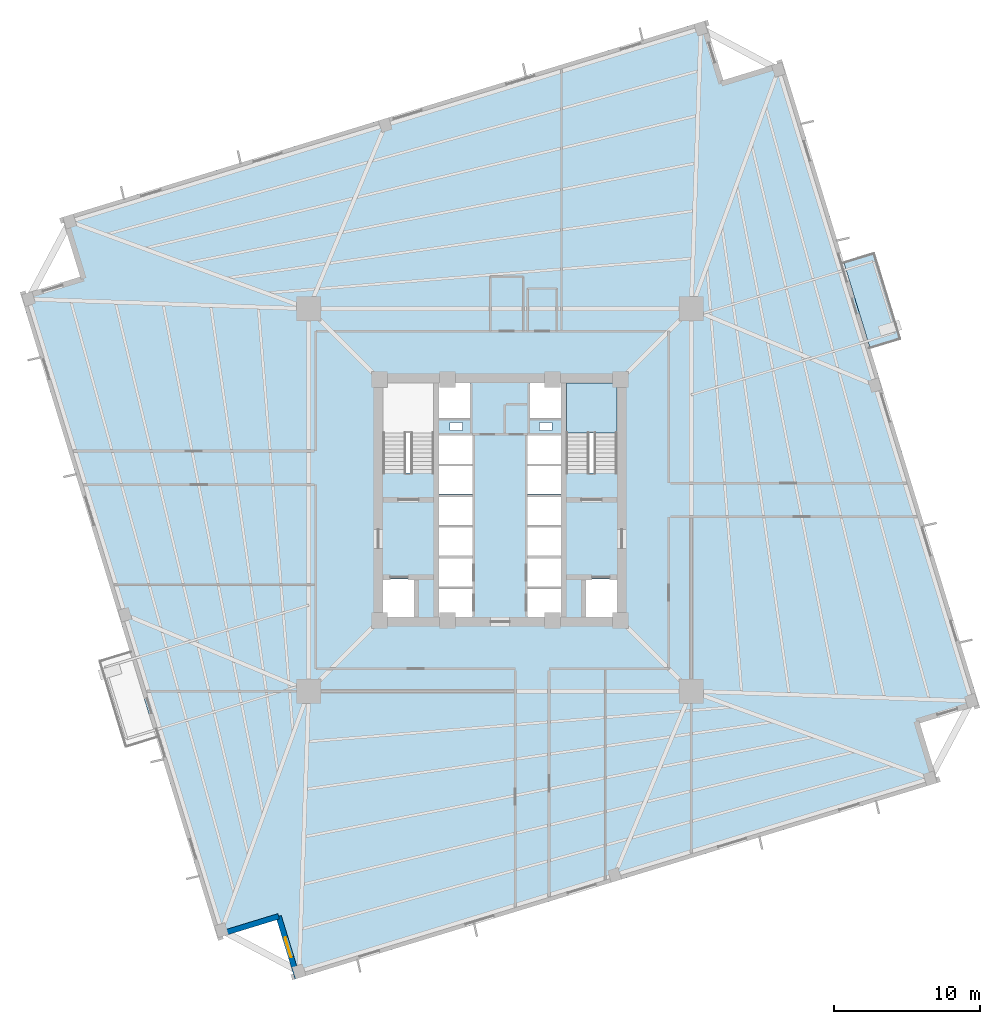
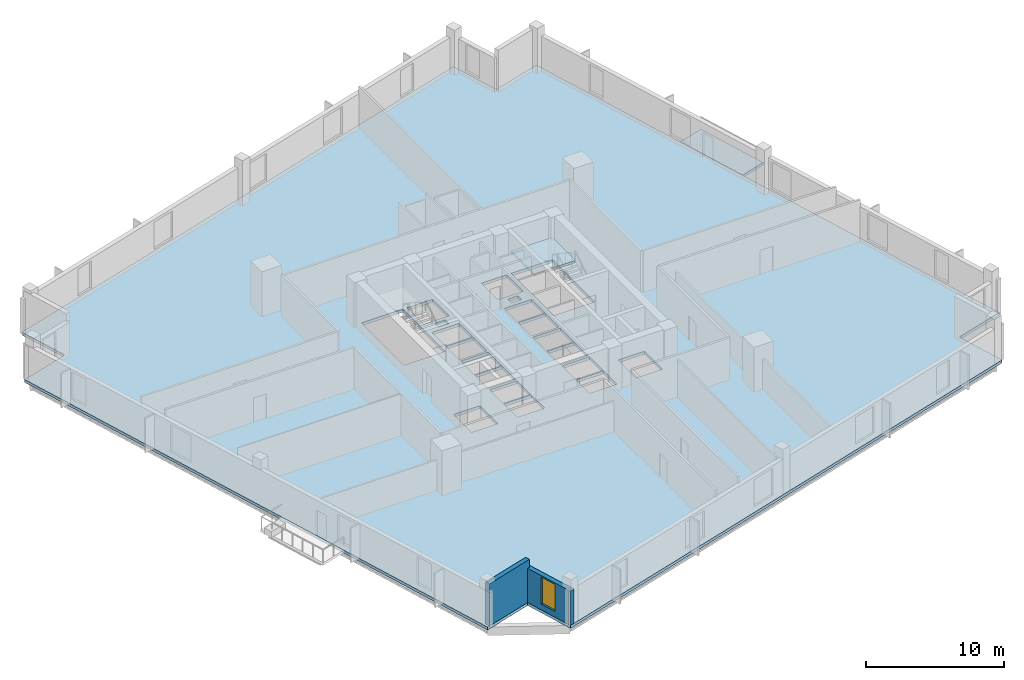
# One storey, part 2 of 9: 3 slabs, 2 walls, 1 window, 1 opening, 1 element without a shape of its own.
"""IFC4 building model written with IfcOpenShell, lengths in metres."""

from ifc_helpers import new_model, si_unit, direction, frame, frame_2d, origin, place, context, subcontext, project, spatial, polyline, rectangle, outline, extrude, source, transform, mapped, material, layer, layer_set, type_object, element, fill, aggregate, save


model = new_model("IFC4")

# Units and contexts
model_context = context("Model", 3, precision=1e-05, world=origin(), true_north=direction((0.0, 1.0)))
body_context = subcontext(model_context, "Body", "Model", "MODEL_VIEW")
ifc_project = project(units=[si_unit("LENGTHUNIT", "METRE"), si_unit("AREAUNIT", "SQUARE_METRE"), si_unit("VOLUMEUNIT", "CUBIC_METRE"), si_unit("PLANEANGLEUNIT", "RADIAN"), si_unit("MASSUNIT", "GRAM", prefix="KILO"), si_unit("THERMODYNAMICTEMPERATUREUNIT", "KELVIN")], contexts=[model_context])

# Site, building, storey
site_placement = place(None, origin())
site = spatial("IfcSite", under=ifc_project, at=site_placement, CompositionType="ELEMENT")
building_placement = place(site_placement, origin())
building = spatial("IfcBuilding", under=site, at=building_placement, Name="Kosmvard Interchange Tower", CompositionType="ELEMENT")
storey_placement = place(building_placement, frame((0.0, 0.0, 131.199951171875)))
storey = spatial("IfcBuildingStorey", under=building, at=storey_placement, Name="L31", CompositionType="ELEMENT", Elevation=131.199951171875)

# Slab
ifc_material_1 = material(Name="Concrete C50/60", Category="concrete")
ifc_layer_1 = layer(ifc_material_1, 0.260009765625, Name="Concrete C50/60")
ifc_layer_set_1 = layer_set([ifc_layer_1], Name="Concrete C50/60")
slab_type_1 = type_object("IfcSlabType", Name="Mid-Rise Office Composite Slab 260 C50/60", PredefinedType="FLOOR", material=ifc_layer_set_1)
slab_1_placement = place(storey_placement, frame((0.0, 0.0, -0.260009765625)))
element("IfcSlab", 1, at=slab_1_placement, inside=storey, type_object=slab_type_1, Name="L31 Structural Floor Slab", PredefinedType="FLOOR", context=body_context, shape_type="SweptSolid", body=[
    extrude(outline(polyline([(-14.02783203125, -32.783935546875), (29.962158203125, -19.334716796875), (28.719482421875, -15.2705078125), (32.783935546875, -14.02783203125), (19.334716796875, 29.962158203125), (15.2705078125, 28.719482421875), (14.02783203125, 32.783935546875), (-29.962158203125, 19.334716796875), (-28.719482421875, 15.2705078125), (-32.783935546875, 14.02783203125), (-19.334716796875, -29.962158203125), (-15.2705078125, -28.719482421875), (-14.02783203125, -32.783935546875)]), holes=[polyline([(-8.0, 1.8349609375), (-4.5400390625, 1.8349609375), (-4.5400390625, 8.0), (-8.0, 8.0), (-8.0, 1.8349609375)]), polyline([(4.5400390625, 1.8349609375), (8.0, 1.8349609375), (8.0, 8.0), (4.5400390625, 8.0), (4.5400390625, 1.8349609375)]), polyline([(-8.0, -8.0), (-5.800048828125, -8.0), (-5.800048828125, -5.39990234375), (-8.0, -5.39990234375), (-8.0, -8.0)]), polyline([(5.800048828125, -8.0), (8.0, -8.0), (8.0, -5.39990234375), (5.800048828125, -5.39990234375), (5.800048828125, -8.0)]), polyline([(-4.179931640625, -8.0), (-1.8798828125, -8.0), (-1.8798828125, -6.06005859375), (-4.179931640625, -6.06005859375), (-4.179931640625, -8.0)]), polyline([(-4.179931640625, -5.93994140625), (-1.8798828125, -5.93994140625), (-1.8798828125, -4.0), (-4.179931640625, -4.0), (-4.179931640625, -5.93994140625)]), polyline([(1.8798828125, -8.0), (4.179931640625, -8.0), (4.179931640625, -6.06005859375), (1.8798828125, -6.06005859375), (1.8798828125, -8.0)]), polyline([(1.8798828125, -5.93994140625), (4.179931640625, -5.93994140625), (4.179931640625, -4.0), (1.8798828125, -4.0), (1.8798828125, -5.93994140625)]), polyline([(-4.179931640625, -3.800048828125), (-1.8798828125, -3.800048828125), (-1.8798828125, -1.860107421875), (-4.179931640625, -1.860107421875), (-4.179931640625, -3.800048828125)]), polyline([(-4.179931640625, -1.739990234375), (-1.8798828125, -1.739990234375), (-1.8798828125, 0.199951171875), (-4.179931640625, 0.199951171875), (-4.179931640625, -1.739990234375)]), polyline([(1.8798828125, -3.800048828125), (4.179931640625, -3.800048828125), (4.179931640625, -1.860107421875), (1.8798828125, -1.860107421875), (1.8798828125, -3.800048828125)]), polyline([(1.8798828125, -1.739990234375), (4.179931640625, -1.739990234375), (4.179931640625, 0.199951171875), (1.8798828125, 0.199951171875), (1.8798828125, -1.739990234375)]), polyline([(-4.179931640625, 0.39990234375), (-1.8798828125, 0.39990234375), (-1.8798828125, 2.340087890625), (-4.179931640625, 2.340087890625), (-4.179931640625, 0.39990234375)]), polyline([(-4.179931640625, 2.4599609375), (-1.8798828125, 2.4599609375), (-1.8798828125, 4.39990234375), (-4.179931640625, 4.39990234375), (-4.179931640625, 2.4599609375)]), polyline([(1.8798828125, 0.39990234375), (4.179931640625, 0.39990234375), (4.179931640625, 2.340087890625), (1.8798828125, 2.340087890625), (1.8798828125, 0.39990234375)]), polyline([(1.8798828125, 2.4599609375), (4.179931640625, 2.4599609375), (4.179931640625, 4.39990234375), (1.8798828125, 4.39990234375), (1.8798828125, 2.4599609375)]), polyline([(-4.179931640625, 5.60009765625), (-2.0400390625, 5.60009765625), (-2.0400390625, 8.0), (-4.179931640625, 8.0), (-4.179931640625, 5.60009765625)]), polyline([(2.0400390625, 5.60009765625), (4.179931640625, 5.60009765625), (4.179931640625, 8.0), (2.0400390625, 8.0), (2.0400390625, 5.60009765625)]), polyline([(-3.4150390625, 4.739990234375), (-2.56494140625, 4.739990234375), (-2.56494140625, 5.2900390625), (-3.4150390625, 5.2900390625), (-3.4150390625, 4.739990234375)]), polyline([(2.715087890625, 4.739990234375), (3.56494140625, 4.739990234375), (3.56494140625, 5.2900390625), (2.715087890625, 5.2900390625), (2.715087890625, 4.739990234375)])]), origin(), (0.0, 0.0, 1.0), 0.260009765625),
])

# Stair, slab
stair_type = type_object("IfcStairType", Name="Dog-Leg Core Exit Stair H4000 C50/60", PredefinedType="HALF_TURN_STAIR", material=ifc_material_1)
stair_placement = place(storey_placement, origin())
stair = element("IfcStair", 2, at=stair_placement, inside=storey, type_object=stair_type, Name="L31 Protected Exit Stair ST-2", PredefinedType="HALF_TURN_STAIR")
ifc_layer_2 = layer(ifc_material_1, 0.199951171875, Name="Concrete C50/60")
ifc_layer_set_2 = layer_set([ifc_layer_2], Name="Concrete C50/60")
slab_type_2 = type_object("IfcSlabType", Name="Stair Half-Landing Slab 200 C50/60", PredefinedType="LANDING", material=ifc_layer_set_2)
slab_2_placement = place(storey_placement, frame((0.0, 0.0, 1.800048828125)))
slab_2 = element("IfcSlab", 3, at=slab_2_placement, type_object=slab_type_2, Name="ST-2 landing 1", PredefinedType="LANDING", context=body_context, shape_type="SweptSolid", body=[
    extrude(outline(polyline([(8.0, 4.60009765625), (8.0, 8.0), (4.5400390625, 8.0), (4.5400390625, 4.60009765625), (8.0, 4.60009765625)])), origin(), (0.0, 0.0, 1.0), 0.199951171875),
])
aggregate(stair, [slab_2])

# Slab
ifc_layer_3 = layer(ifc_material_1, 0.22998046875, Name="Concrete C50/60")
ifc_layer_set_3 = layer_set([ifc_layer_3], Name="Concrete C50/60")
slab_type_3 = type_object("IfcSlabType", Name="Tree-Planter Cantilever Balcony Slab 230 C50/60", PredefinedType="FLOOR", material=ifc_layer_set_3)
slab_3_placement = place(storey_placement, frame((0.0, 0.0, -0.22998046875)))
element("IfcSlab", 4, at=slab_3_placement, inside=storey, type_object=slab_type_3, Name="L31 Outdoor Terrace Balcony Slab BAL-L31-E", PredefinedType="FLOOR", context=body_context, shape_type="SweptSolid", body=[
    extrude(outline(polyline([(25.328369140625, 10.35791015625), (27.43212890625, 11.001220703125), (25.61962890625, 16.93017578125), (23.515625, 16.286865234375), (25.328369140625, 10.35791015625)])), origin(), (0.0, 0.0, 1.0), 0.22998046875),
])

# Wall
ifc_material_2 = material(Name="Precast concrete C45/55", Category="concrete")
ifc_layer_4 = layer(ifc_material_2, 0.3798828125, Name="Precast concrete C45/55")
ifc_layer_set_4 = layer_set([ifc_layer_4], Name="Precast concrete C45/55")
wall_type = type_object("IfcWallType", Name="Lower Tower Precast Pier Wall 380 C45/55", PredefinedType="STANDARD", material=ifc_layer_set_4)
wall_1_placement = place(storey_placement, frame((-19.20849609375, -29.724853515625, 0.0), z_axis=(0.0, 0.0, 1.0), x_axis=(0.956312764915, 0.292345507338, 0.0)))
element("IfcWall", 5, at=wall_1_placement, inside=storey, type_object=wall_type, Name="L31 Precast Facade Wall N-SW1", PredefinedType="STANDARD", context=body_context, shape_type="SweptSolid", body=[
    extrude(rectangle(XDim=4.249755859375, YDim=0.3798828125, at=frame_2d((2.125, 0.0))), origin(), (0.0, 0.0, 1.0), 3.739990234375),
])

# Wall, opening, window
wall_2_placement = place(storey_placement, frame((-15.144287109375, -28.482421875, 0.0), z_axis=(0.0, 0.0, 1.0), x_axis=(0.292373601522, -0.956304176051, 0.0)))
wall_2 = element("IfcWall", 6, at=wall_2_placement, inside=storey, type_object=wall_type, Name="L31 Precast Facade Wall N-SW2", PredefinedType="STANDARD", context=body_context, shape_type="SweptSolid", body=[
    extrude(rectangle(XDim=4.43994140625, YDim=0.3798828125, at=frame_2d((2.219970703125, 0.0))), origin(), (0.0, 0.0, 1.0), 3.0400390625),
])
opening_placement = place(wall_2_placement, frame((1.52001953125, 0.0, 0.510009765625)))
opening = element("IfcOpeningElement", 7, at=opening_placement, cuts=wall_2, Name="Opening L31-W23", PredefinedType="OPENING", context=body_context, shape_type="SweptSolid", body=[
    extrude(rectangle(XDim=1.39990234375, YDim=2.39990234375, at=frame_2d((0.699951171875, 1.199951171875))), frame((0.0, 0.199951171875, 0.0), z_axis=(0.0, -1.0, 0.0), x_axis=(1.0, 0.0, 0.0)), (0.0, 0.0, 1.0), 0.39990234375),
])
ifc_material_3 = material(Name="Low-E solar-control double glazing", Category="glass")
window_type = type_object("IfcWindowType", Name="Notched Corner Feature Window 1400x2400", PartitioningType="SINGLE_PANEL", PredefinedType="WINDOW", material=ifc_material_3)
shared_shape = source(origin(), body_context, "Body", "SweptSolid", [
    extrude(rectangle(XDim=1.39990234375, YDim=2.39990234375, at=frame_2d((0.699951171875, 1.199951171875))), frame((0.0, 0.030029296875, 0.0), z_axis=(0.0, -1.0, 0.0), x_axis=(1.0, 0.0, 0.0)), (0.0, 0.0, 1.0), 0.06005859375),
])
window_placement = place(opening_placement, origin())
window = element("IfcWindow", 8, at=window_placement, inside=storey, type_object=window_type, Name="L31 Corner Notch Window 23", OverallHeight=2.39990234375, OverallWidth=1.39990234375, PartitioningType="SINGLE_PANEL", PredefinedType="WINDOW", context=body_context, shape_type="MappedRepresentation", body=[
    mapped(shared_shape, transform((0.0, 0.0, 0.0), scale=1.0)),
])
fill(opening, window)

save(model, "model.ifc")
